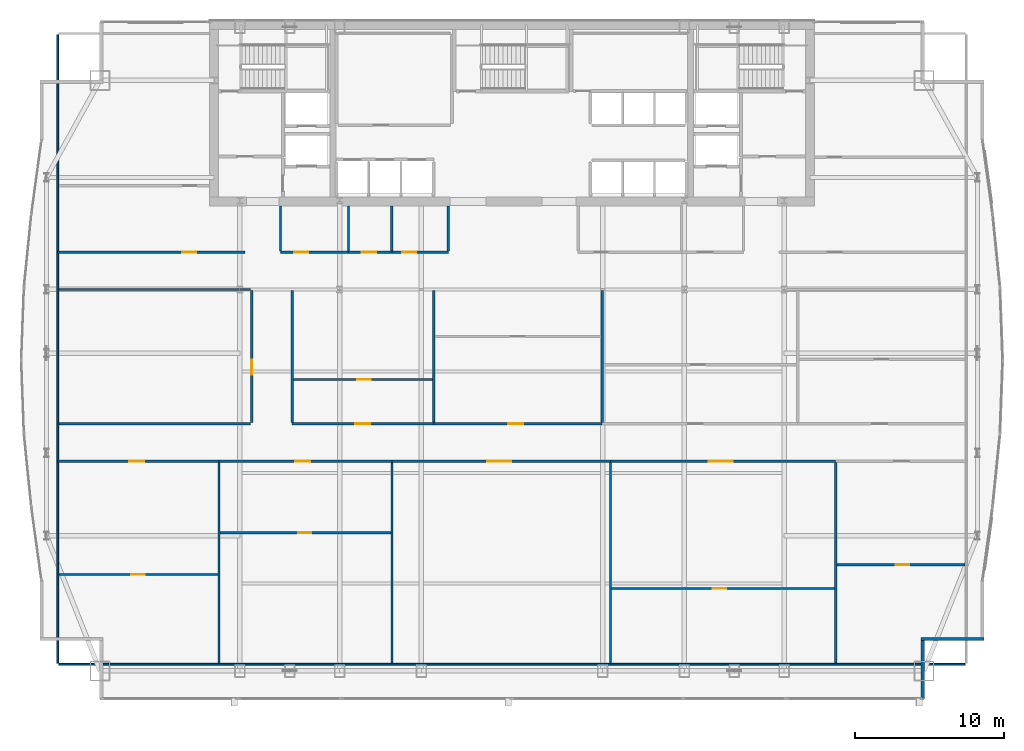
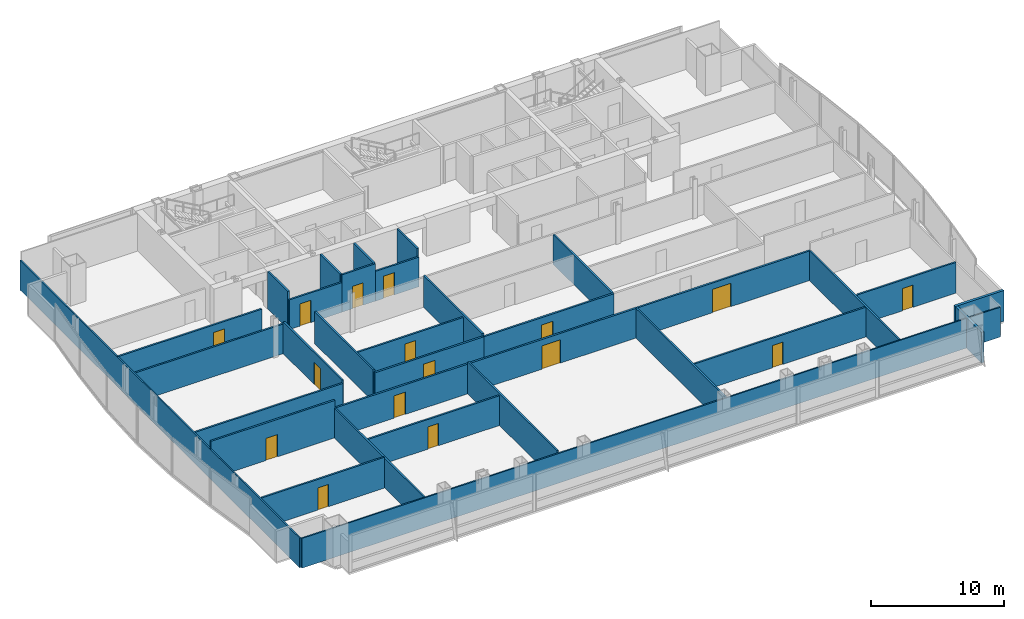
# One storey, part 24 of 29: 33 walls, 16 doors, 16 openings.
"""IFC4 building model written with IfcOpenShell, lengths in metres."""

from ifc_helpers import new_model, si_unit, direction, frame, frame_2d, origin, place, context, subcontext, project, spatial, rectangle, extrude, material, layer, layer_set, type_object, element, fill, save


model = new_model("IFC4")

# Units and contexts
model_context = context("Model", 3, precision=1e-05, world=origin(), true_north=direction((0.0, 1.0)))
body_context = subcontext(model_context, "Body", "Model", "MODEL_VIEW")
ifc_project = project(units=[si_unit("LENGTHUNIT", "METRE"), si_unit("AREAUNIT", "SQUARE_METRE"), si_unit("VOLUMEUNIT", "CUBIC_METRE"), si_unit("PLANEANGLEUNIT", "RADIAN"), si_unit("MASSUNIT", "GRAM", prefix="KILO")], contexts=[model_context])

# Site, building, storey
site_placement = place(None, origin())
site = spatial("IfcSite", under=ifc_project, at=site_placement, CompositionType="ELEMENT")
building_placement = place(site_placement, origin())
building = spatial("IfcBuilding", under=site, at=building_placement, Name="Khoronbel Lancet Exchange", CompositionType="ELEMENT")
storey_placement = place(building_placement, frame((0.0, 0.0, 177.0)))
storey = spatial("IfcBuildingStorey", under=building, at=storey_placement, Name="L44", CompositionType="ELEMENT", Elevation=177.0)

# Walls
ifc_material_1 = material(Name="Precast concrete C40/50", Category="concrete")
ifc_layer_1 = layer(ifc_material_1, 0.25, Name="Precast concrete C40/50")
ifc_layer_set_1 = layer_set([ifc_layer_1], Name="Precast concrete C40/50")
wall_type_1 = type_object("IfcWallType", Name="WL-EXT250", PredefinedType="SOLIDWALL", material=ifc_layer_set_1)
wall_1_placement = place(storey_placement, frame((68.070068359375, 12.2900390625, 0.0), z_axis=(0.0, 0.0, 1.0), x_axis=(-1.0, 0.0, 0.0)))
element("IfcWall", 1, at=wall_1_placement, inside=storey, type_object=wall_type_1, Name="Level L44 notched-corner limestone pier 24", PredefinedType="SOLIDWALL", context=body_context, shape_type="SweptSolid", body=[
    extrude(rectangle(XDim=4.219970703125, YDim=0.219970703125, at=frame_2d((2.10986328125, 0.0))), origin(), (0.0, 0.0, 1.0), 2.830078125),
])
wall_2_placement = place(storey_placement, frame((63.9599609375, 12.179931640625, 0.0), z_axis=(0.0, 0.0, 1.0), x_axis=(0.0, -1.0, 0.0)))
element("IfcWall", 2, at=wall_2_placement, inside=storey, type_object=wall_type_1, Name="Level L44 notched-corner limestone pier 25", PredefinedType="SOLIDWALL", context=body_context, shape_type="SweptSolid", body=[
    extrude(rectangle(XDim=3.909912109375, YDim=0.219970703125, at=frame_2d((1.955078125, 0.0))), origin(), (0.0, 0.0, 1.0), 2.830078125),
])
ifc_material_2 = material(Name="Acoustic Metal-Stud & Mineral-Wool Gypsum Partition 120 mm", Category="gypsum")
ifc_layer_2 = layer(ifc_material_2, 0.1201171875, Name="Acoustic Metal-Stud & Mineral-Wool Gypsum Partition 120 mm")
ifc_layer_set_2 = layer_set([ifc_layer_2], Name="Acoustic Metal-Stud & Mineral-Wool Gypsum Partition 120 mm")
wall_type_2 = type_object("IfcWallType", Name="WL-PRT120", PredefinedType="PARTITIONING", material=ifc_layer_set_2)
for number, where, z_axis, x_axis, name in (
    (3, (20.949951171875, 38.280029296875, 0.0), (0.0, 0.0, 1.0), (0.0, 1.0, 0.0), "Level L44 interior partition PW-WC-0"),
    (4, (25.5, 38.280029296875, 0.0), (0.0, 0.0, 1.0), (0.0, 1.0, 0.0), "Level L44 interior partition PW-WC-1"),
    (5, (28.39990234375, 38.280029296875, 0.0), (0.0, 0.0, 1.0), (0.0, 1.0, 0.0), "Level L44 interior partition PW-WC-2"),
    (6, (32.179931640625, 38.280029296875, 0.0), (0.0, 0.0, 1.0), (0.0, 1.0, 0.0), "Level L44 interior partition PW-WC-3"),
):
    element("IfcWall", number, at=place(storey_placement, frame(where, z_axis=z_axis, x_axis=x_axis)), inside=storey, type_object=wall_type_2, Name=name, PredefinedType="PARTITIONING", context=body_context, shape_type="SweptSolid", body=[
        extrude(rectangle(XDim=3.02001953125, YDim=0.14990234375, at=frame_2d((1.510009765625, 0.0))), origin(), (0.0, 0.0, 1.0), 3.43994140625),
    ])

# Wall, opening, door
wall_3_placement = place(storey_placement, frame((6.094970703125, 16.60986328125, 0.0), z_axis=(0.0, 0.0, 1.0), x_axis=(1.0, 0.0, 0.0)))
wall_3 = element("IfcWall", 7, at=wall_3_placement, inside=storey, type_object=wall_type_2, Name="Level L44 interior partition PW-Z2S-H1", PredefinedType="PARTITIONING", context=body_context, shape_type="SweptSolid", body=[
    extrude(rectangle(XDim=10.651123046875, YDim=0.14990234375, at=frame_2d((5.32568359375, 0.0))), origin(), (0.0, 0.0, 1.0), 2.830078125),
])
opening_1_placement = place(wall_3_placement, frame((4.8583984375, 0.0, 0.0)))
opening_1 = element("IfcOpeningElement", 8, at=opening_1_placement, cuts=wall_3, Name="Opening D5", PredefinedType="OPENING", context=body_context, shape_type="SweptSolid", body=[
    extrude(rectangle(XDim=0.89990234375, YDim=2.050048828125, at=frame_2d((0.449951171875, 1.02490234375))), frame((0.0, 0.0849609375, 0.0), z_axis=(0.0, -1.0, 0.0), x_axis=(1.0, 0.0, 0.0)), (0.0, 0.0, 1.0), 0.169921875),
])
ifc_material_3 = material(Name="Acoustic Timber Pantry & Support Door", Category="wood")
door_type_1 = type_object("IfcDoorType", Name="DR-D5", OperationType="NOTDEFINED", PredefinedType="DOOR", material=ifc_material_3)
door_1_placement = place(opening_1_placement, origin())
door_1 = element("IfcDoor", 9, at=door_1_placement, inside=storey, type_object=door_type_1, Name="Z2S inner door 1 L44-1", OperationType="SINGLE_SWING_LEFT", OverallHeight=2.050048828125, OverallWidth=0.89990234375, PredefinedType="DOOR", context=body_context, shape_type="SweptSolid", body=[
    extrude(rectangle(XDim=0.89990234375, YDim=2.050048828125, at=frame_2d((0.449951171875, 1.02490234375))), frame((0.0, 0.02490234375, 0.0), z_axis=(0.0, -1.0, 0.0), x_axis=(1.0, 0.0, 0.0)), (0.0, 0.0, 1.0), 0.050048828125),
])
fill(opening_1, door_1)

wall_4_placement = place(storey_placement, frame((16.90625, 19.39697265625, 0.0), z_axis=(0.0, 0.0, 1.0), x_axis=(1.0, 0.0, 0.0)))
wall_4 = element("IfcWall", 10, at=wall_4_placement, inside=storey, type_object=wall_type_2, Name="Level L44 interior partition PW-Z2S-H2", PredefinedType="PARTITIONING", context=body_context, shape_type="SweptSolid", body=[
    extrude(rectangle(XDim=11.423828125, YDim=0.14990234375, at=frame_2d((5.7119140625, 0.0))), origin(), (0.0, 0.0, 1.0), 2.72998046875),
])
opening_2_placement = place(wall_4_placement, frame((5.212646484375, 0.0, 0.0)))
opening_2 = element("IfcOpeningElement", 11, at=opening_2_placement, cuts=wall_4, Name="Opening D5", PredefinedType="OPENING", context=body_context, shape_type="SweptSolid", body=[
    extrude(rectangle(XDim=0.89990234375, YDim=2.050048828125, at=frame_2d((0.449951171875, 1.02490234375))), frame((0.0, 0.0849609375, 0.0), z_axis=(0.0, -1.0, 0.0), x_axis=(1.0, 0.0, 0.0)), (0.0, 0.0, 1.0), 0.169921875),
])
door_2_placement = place(opening_2_placement, origin())
door_2 = element("IfcDoor", 12, at=door_2_placement, inside=storey, type_object=door_type_1, Name="Z2S inner door 2 L44-1", OperationType="SINGLE_SWING_LEFT", OverallHeight=2.050048828125, OverallWidth=0.89990234375, PredefinedType="DOOR", context=body_context, shape_type="SweptSolid", body=[
    extrude(rectangle(XDim=0.89990234375, YDim=2.050048828125, at=frame_2d((0.449951171875, 1.02490234375))), frame((0.0, 0.02490234375, 0.0), z_axis=(0.0, -1.0, 0.0), x_axis=(1.0, 0.0, 0.0)), (0.0, 0.0, 1.0), 0.050048828125),
])
fill(opening_2, door_2)

wall_5_placement = place(storey_placement, frame((43.1220703125, 15.674560546875, 0.0), z_axis=(0.0, 0.0, 1.0), x_axis=(1.0, 0.0, 0.0)))
wall_5 = element("IfcWall", 13, at=wall_5_placement, inside=storey, type_object=wall_type_2, Name="Level L44 interior partition PW-Z2S-H4", PredefinedType="PARTITIONING", context=body_context, shape_type="SweptSolid", body=[
    extrude(rectangle(XDim=14.929443359375, YDim=0.14990234375, at=frame_2d((7.46484375, 0.0))), origin(), (0.0, 0.0, 1.0), 2.72998046875),
])
opening_3_placement = place(wall_5_placement, frame((6.790283203125, 0.0, 0.0)))
opening_3 = element("IfcOpeningElement", 14, at=opening_3_placement, cuts=wall_5, Name="Opening D5", PredefinedType="OPENING", context=body_context, shape_type="SweptSolid", body=[
    extrude(rectangle(XDim=0.89990234375, YDim=2.050048828125, at=frame_2d((0.449951171875, 1.02490234375))), frame((0.0, 0.0849609375, 0.0), z_axis=(0.0, -1.0, 0.0), x_axis=(1.0, 0.0, 0.0)), (0.0, 0.0, 1.0), 0.169921875),
])
door_3_placement = place(opening_3_placement, origin())
door_3 = element("IfcDoor", 15, at=door_3_placement, inside=storey, type_object=door_type_1, Name="Z2S inner door 4 L44-1", OperationType="SINGLE_SWING_RIGHT", OverallHeight=2.050048828125, OverallWidth=0.89990234375, PredefinedType="DOOR", context=body_context, shape_type="SweptSolid", body=[
    extrude(rectangle(XDim=0.89990234375, YDim=2.050048828125, at=frame_2d((0.449951171875, 1.02490234375))), frame((0.0, 0.02490234375, 0.0), z_axis=(0.0, -1.0, 0.0), x_axis=(1.0, 0.0, 0.0)), (0.0, 0.0, 1.0), 0.050048828125),
])
fill(opening_3, door_3)

wall_6_placement = place(storey_placement, frame((58.21142578125, 17.26171875, 0.0), z_axis=(0.0, 0.0, 1.0), x_axis=(1.0, 0.0, 0.0)))
wall_6 = element("IfcWall", 16, at=wall_6_placement, inside=storey, type_object=wall_type_2, Name="Level L44 interior partition PW-Z2S-H5", PredefinedType="PARTITIONING", context=body_context, shape_type="SweptSolid", body=[
    extrude(rectangle(XDim=8.593505859375, YDim=0.14990234375, at=frame_2d((4.296875, 0.0))), origin(), (0.0, 0.0, 1.0), 2.830078125),
])
opening_4_placement = place(wall_6_placement, frame((3.932373046875, 0.0, 0.0)))
opening_4 = element("IfcOpeningElement", 17, at=opening_4_placement, cuts=wall_6, Name="Opening D5", PredefinedType="OPENING", context=body_context, shape_type="SweptSolid", body=[
    extrude(rectangle(XDim=0.89990234375, YDim=2.050048828125, at=frame_2d((0.449951171875, 1.02490234375))), frame((0.0, 0.0849609375, 0.0), z_axis=(0.0, -1.0, 0.0), x_axis=(1.0, 0.0, 0.0)), (0.0, 0.0, 1.0), 0.169921875),
])
door_4_placement = place(opening_4_placement, origin())
door_4 = element("IfcDoor", 18, at=door_4_placement, inside=storey, type_object=door_type_1, Name="Z2S inner door 5 L44-1", OperationType="SINGLE_SWING_RIGHT", OverallHeight=2.050048828125, OverallWidth=0.89990234375, PredefinedType="DOOR", context=body_context, shape_type="SweptSolid", body=[
    extrude(rectangle(XDim=0.89990234375, YDim=2.050048828125, at=frame_2d((0.449951171875, 1.02490234375))), frame((0.0, 0.02490234375, 0.0), z_axis=(0.0, -1.0, 0.0), x_axis=(1.0, 0.0, 0.0)), (0.0, 0.0, 1.0), 0.050048828125),
])
fill(opening_4, door_4)

wall_7_placement = place(storey_placement, frame((21.81005859375, 29.669921875, 0.0), z_axis=(0.0, 0.0, 1.0), x_axis=(1.0, 0.0, 0.0)))
wall_7 = element("IfcWall", 19, at=wall_7_placement, inside=storey, type_object=wall_type_2, Name="Level L44 interior partition PW-Z2N-H1", PredefinedType="PARTITIONING", context=body_context, shape_type="SweptSolid", body=[
    extrude(rectangle(XDim=9.3193359375, YDim=0.14990234375, at=frame_2d((4.65966796875, 0.0))), origin(), (0.0, 0.0, 1.0), 2.72998046875),
])
opening_5_placement = place(wall_7_placement, frame((4.265625, 0.0, 0.0)))
opening_5 = element("IfcOpeningElement", 20, at=opening_5_placement, cuts=wall_7, Name="Opening D5", PredefinedType="OPENING", context=body_context, shape_type="SweptSolid", body=[
    extrude(rectangle(XDim=0.89990234375, YDim=2.050048828125, at=frame_2d((0.449951171875, 1.02490234375))), frame((0.0, 0.0849609375, 0.0), z_axis=(0.0, -1.0, 0.0), x_axis=(1.0, 0.0, 0.0)), (0.0, 0.0, 1.0), 0.169921875),
])
door_5_placement = place(opening_5_placement, origin())
door_5 = element("IfcDoor", 21, at=door_5_placement, inside=storey, type_object=door_type_1, Name="Z2N inner door 1 L44-1", OperationType="SINGLE_SWING_LEFT", OverallHeight=2.050048828125, OverallWidth=0.89990234375, PredefinedType="DOOR", context=body_context, shape_type="SweptSolid", body=[
    extrude(rectangle(XDim=0.89990234375, YDim=2.050048828125, at=frame_2d((0.449951171875, 1.02490234375))), frame((0.0, 0.02490234375, 0.0), z_axis=(0.0, -1.0, 0.0), x_axis=(1.0, 0.0, 0.0)), (0.0, 0.0, 1.0), 0.050048828125),
])
fill(opening_5, door_5)

# Walls
wall_8_placement = place(storey_placement, frame((6.030029296875, 10.6650390625, 0.0), z_axis=(0.0, 0.0, 1.0), x_axis=(0.0, 1.0, 0.0)))
element("IfcWall", 22, at=wall_8_placement, inside=storey, type_object=wall_type_2, Name="Level L44 interior partition PW-LIN-W", PredefinedType="PARTITIONING", context=body_context, shape_type="SweptSolid", body=[
    extrude(rectangle(XDim=42.10986328125, YDim=0.1201171875, at=frame_2d((21.054931640625, 0.0))), origin(), (0.0, 0.0, 1.0), 2.72998046875),
])
wall_9_placement = place(storey_placement, frame((6.094970703125, 10.60009765625, 0.0), z_axis=(0.0, 0.0, 1.0), x_axis=(1.0, 0.0, 0.0)))
element("IfcWall", 23, at=wall_9_placement, inside=storey, type_object=wall_type_2, Name="Level L44 interior partition PW-LIN-S", PredefinedType="PARTITIONING", context=body_context, shape_type="SweptSolid", body=[
    extrude(rectangle(XDim=60.7099609375, YDim=0.1201171875, at=frame_2d((30.35498046875, 0.0))), origin(), (0.0, 0.0, 1.0), 2.72998046875),
])

# Wall, opening, door
ifc_material_4 = material(Name="Fire-Rated Twin-Stud Acoustic Gypsum Partition 150 mm", Category="gypsum")
ifc_layer_3 = layer(ifc_material_4, 0.14990234375, Name="Fire-Rated Twin-Stud Acoustic Gypsum Partition 150 mm")
ifc_layer_set_3 = layer_set([ifc_layer_3], Name="Fire-Rated Twin-Stud Acoustic Gypsum Partition 150 mm")
wall_type_3 = type_object("IfcWallType", Name="WL-PRT150C", PredefinedType="PARTITIONING", material=ifc_layer_set_3)
wall_10_placement = place(storey_placement, frame((20.949951171875, 38.199951171875, 0.0), z_axis=(0.0, 0.0, 1.0), x_axis=(1.0, 0.0, 0.0)))
wall_10 = element("IfcWall", 24, at=wall_10_placement, inside=storey, type_object=wall_type_3, Name="Level L44 interior partition PW-WC-S1", PredefinedType="PARTITIONING", context=body_context, shape_type="SweptSolid", body=[
    extrude(rectangle(XDim=4.550048828125, YDim=0.14990234375, at=frame_2d((2.27490234375, 0.0))), origin(), (0.0, 0.0, 1.0), 2.72998046875),
])
opening_6_placement = place(wall_10_placement, frame((0.89990234375, 0.0, 0.0)))
opening_6 = element("IfcOpeningElement", 25, at=opening_6_placement, cuts=wall_10, Name="Opening D4", PredefinedType="OPENING", context=body_context, shape_type="SweptSolid", body=[
    extrude(rectangle(XDim=0.949951171875, YDim=2.050048828125, at=frame_2d((0.47509765625, 1.02490234375))), frame((0.0, 0.0849609375, 0.0), z_axis=(0.0, -1.0, 0.0), x_axis=(1.0, 0.0, 0.0)), (0.0, 0.0, 1.0), 0.169921875),
])
ifc_material_5 = material(Name="Moisture-Resistant HPL Washroom Door", Category="wood")
door_type_2 = type_object("IfcDoorType", Name="DR-D4", OperationType="NOTDEFINED", PredefinedType="DOOR", material=ifc_material_5)
door_6_placement = place(opening_6_placement, origin())
door_6 = element("IfcDoor", 26, at=door_6_placement, inside=storey, type_object=door_type_2, Name="Male washroom door L44-1", OperationType="SINGLE_SWING_LEFT", OverallHeight=2.050048828125, OverallWidth=0.949951171875, PredefinedType="DOOR", context=body_context, shape_type="SweptSolid", body=[
    extrude(rectangle(XDim=0.949951171875, YDim=2.050048828125, at=frame_2d((0.47509765625, 1.02490234375))), frame((0.0, 0.02490234375, 0.0), z_axis=(0.0, -1.0, 0.0), x_axis=(1.0, 0.0, 0.0)), (0.0, 0.0, 1.0), 0.050048828125),
])
fill(opening_6, door_6)

wall_11_placement = place(storey_placement, frame((25.5, 38.199951171875, 0.0), z_axis=(0.0, 0.0, 1.0), x_axis=(1.0, 0.0, 0.0)))
wall_11 = element("IfcWall", 27, at=wall_11_placement, inside=storey, type_object=wall_type_3, Name="Level L44 interior partition PW-WC-S2", PredefinedType="PARTITIONING", context=body_context, shape_type="SweptSolid", body=[
    extrude(rectangle(XDim=2.89990234375, YDim=0.14990234375, at=frame_2d((1.449951171875, 0.0))), origin(), (0.0, 0.0, 1.0), 3.43994140625),
])
opening_7_placement = place(wall_11_placement, frame((0.89990234375, 0.0, 0.0)))
opening_7 = element("IfcOpeningElement", 28, at=opening_7_placement, cuts=wall_11, Name="Opening D4", PredefinedType="OPENING", context=body_context, shape_type="SweptSolid", body=[
    extrude(rectangle(XDim=0.949951171875, YDim=2.050048828125, at=frame_2d((0.47509765625, 1.02490234375))), frame((0.0, 0.0849609375, 0.0), z_axis=(0.0, -1.0, 0.0), x_axis=(1.0, 0.0, 0.0)), (0.0, 0.0, 1.0), 0.169921875),
])
door_7_placement = place(opening_7_placement, origin())
door_7 = element("IfcDoor", 29, at=door_7_placement, inside=storey, type_object=door_type_2, Name="Female washroom door L44-1", OperationType="SINGLE_SWING_RIGHT", OverallHeight=2.050048828125, OverallWidth=0.949951171875, PredefinedType="DOOR", context=body_context, shape_type="SweptSolid", body=[
    extrude(rectangle(XDim=0.949951171875, YDim=2.050048828125, at=frame_2d((0.47509765625, 1.02490234375))), frame((0.0, 0.02490234375, 0.0), z_axis=(0.0, -1.0, 0.0), x_axis=(1.0, 0.0, 0.0)), (0.0, 0.0, 1.0), 0.050048828125),
])
fill(opening_7, door_7)

wall_12_placement = place(storey_placement, frame((28.39990234375, 38.199951171875, 0.0), z_axis=(0.0, 0.0, 1.0), x_axis=(1.0, 0.0, 0.0)))
wall_12 = element("IfcWall", 30, at=wall_12_placement, inside=storey, type_object=wall_type_3, Name="Level L44 interior partition PW-WC-S3", PredefinedType="PARTITIONING", context=body_context, shape_type="SweptSolid", body=[
    extrude(rectangle(XDim=3.780029296875, YDim=0.14990234375, at=frame_2d((1.89013671875, 0.0))), origin(), (0.0, 0.0, 1.0), 2.72998046875),
])
opening_8_placement = place(wall_12_placement, frame((0.699951171875, 0.0, 0.0)))
opening_8 = element("IfcOpeningElement", 31, at=opening_8_placement, cuts=wall_12, Name="Opening D4", PredefinedType="OPENING", context=body_context, shape_type="SweptSolid", body=[
    extrude(rectangle(XDim=0.949951171875, YDim=2.050048828125, at=frame_2d((0.47509765625, 1.02490234375))), frame((0.0, 0.0849609375, 0.0), z_axis=(0.0, -1.0, 0.0), x_axis=(1.0, 0.0, 0.0)), (0.0, 0.0, 1.0), 0.169921875),
])
door_8_placement = place(opening_8_placement, origin())
door_8 = element("IfcDoor", 32, at=door_8_placement, inside=storey, type_object=door_type_2, Name="Accessible WC door L44-1", OperationType="SINGLE_SWING_LEFT", OverallHeight=2.050048828125, OverallWidth=0.949951171875, PredefinedType="DOOR", context=body_context, shape_type="SweptSolid", body=[
    extrude(rectangle(XDim=0.949951171875, YDim=2.050048828125, at=frame_2d((0.47509765625, 1.02490234375))), frame((0.0, 0.02490234375, 0.0), z_axis=(0.0, -1.0, 0.0), x_axis=(1.0, 0.0, 0.0)), (0.0, 0.0, 1.0), 0.050048828125),
])
fill(opening_8, door_8)

wall_13_placement = place(storey_placement, frame((6.030029296875, 38.199951171875, 0.0), z_axis=(0.0, 0.0, 1.0), x_axis=(1.0, 0.0, 0.0)))
wall_13 = element("IfcWall", 33, at=wall_13_placement, inside=storey, type_object=wall_type_3, Name="Level L44 interior partition PW-NW-S", PredefinedType="PARTITIONING", context=body_context, shape_type="SweptSolid", body=[
    extrude(rectangle(XDim=12.52001953125, YDim=0.14990234375, at=frame_2d((6.260009765625, 0.0))), origin(), (0.0, 0.0, 1.0), 2.72998046875),
])
opening_9_placement = place(wall_13_placement, frame((8.320068359375, 0.0, 0.0)))
opening_9 = element("IfcOpeningElement", 34, at=opening_9_placement, cuts=wall_13, Name="Opening D1", PredefinedType="OPENING", context=body_context, shape_type="SweptSolid", body=[
    extrude(rectangle(XDim=0.949951171875, YDim=2.050048828125, at=frame_2d((0.47509765625, 1.02490234375))), frame((0.0, 0.0849609375, 0.0), z_axis=(0.0, -1.0, 0.0), x_axis=(1.0, 0.0, 0.0)), (0.0, 0.0, 1.0), 0.169921875),
])
ifc_material_6 = material(Name="Acoustic Veneered Timber & Bronze Frame Door", Category="wood")
door_type_3 = type_object("IfcDoorType", Name="DR-D1", OperationType="NOTDEFINED", PredefinedType="DOOR", material=ifc_material_6)
door_9_placement = place(opening_9_placement, origin())
door_9 = element("IfcDoor", 35, at=door_9_placement, inside=storey, type_object=door_type_3, Name="NW corner room door L44-1", OperationType="SINGLE_SWING_RIGHT", OverallHeight=2.050048828125, OverallWidth=0.949951171875, PredefinedType="DOOR", context=body_context, shape_type="SweptSolid", body=[
    extrude(rectangle(XDim=0.949951171875, YDim=2.050048828125, at=frame_2d((0.47509765625, 1.02490234375))), frame((0.0, 0.02490234375, 0.0), z_axis=(0.0, -1.0, 0.0), x_axis=(1.0, 0.0, 0.0)), (0.0, 0.0, 1.0), 0.050048828125),
])
fill(opening_9, door_9)

# Walls
wall_14_placement = place(storey_placement, frame((16.826171875, 10.6650390625, 0.0), z_axis=(0.0, 0.0, 1.0), x_axis=(0.0, 1.0, 0.0)))
element("IfcWall", 36, at=wall_14_placement, inside=storey, type_object=wall_type_3, Name="Level L44 interior partition PW-Z2S-V1", PredefinedType="PARTITIONING", context=body_context, shape_type="SweptSolid", body=[
    extrude(rectangle(XDim=13.449951171875, YDim=0.14990234375, at=frame_2d((6.72509765625, 0.0))), origin(), (0.0, 0.0, 1.0), 2.72998046875),
])
wall_15_placement = place(storey_placement, frame((28.409912109375, 10.6650390625, 0.0), z_axis=(0.0, 0.0, 1.0), x_axis=(0.0, 1.0, 0.0)))
element("IfcWall", 37, at=wall_15_placement, inside=storey, type_object=wall_type_3, Name="Level L44 interior partition PW-Z2S-V2", PredefinedType="PARTITIONING", context=body_context, shape_type="SweptSolid", body=[
    extrude(rectangle(XDim=13.449951171875, YDim=0.14990234375, at=frame_2d((6.72509765625, 0.0))), origin(), (0.0, 0.0, 1.0), 2.929931640625),
])
for number, where, z_axis, x_axis, name in (
    (38, (43.0419921875, 10.6650390625, 0.0), (0.0, 0.0, 1.0), (0.0, 1.0, 0.0), "Level L44 interior partition PW-Z2S-V3"),
    (39, (58.13134765625, 10.6650390625, 0.0), (0.0, 0.0, 1.0), (0.0, 1.0, 0.0), "Level L44 interior partition PW-Z2S-V4"),
):
    element("IfcWall", number, at=place(storey_placement, frame(where, z_axis=z_axis, x_axis=x_axis)), inside=storey, type_object=wall_type_3, Name=name, PredefinedType="PARTITIONING", context=body_context, shape_type="SweptSolid", body=[
        extrude(rectangle(XDim=13.449951171875, YDim=0.14990234375, at=frame_2d((6.72509765625, 0.0))), origin(), (0.0, 0.0, 1.0), 2.72998046875),
    ])

# Wall, opening, door
wall_16_placement = place(storey_placement, frame((19.02001953125, 26.780029296875, 0.0), z_axis=(0.0, 0.0, 1.0), x_axis=(0.0, 1.0, 0.0)))
wall_16 = element("IfcWall", 40, at=wall_16_placement, inside=storey, type_object=wall_type_3, Name="Level L44 interior partition PW-Z2-WLK", PredefinedType="PARTITIONING", context=body_context, shape_type="SweptSolid", body=[
    extrude(rectangle(XDim=8.840087890625, YDim=0.14990234375, at=frame_2d((4.419921875, 0.0))), origin(), (0.0, 0.0, 1.0), 2.929931640625),
])
opening_10_placement = place(wall_16_placement, frame((3.199951171875, 0.0, 0.0)))
opening_10 = element("IfcOpeningElement", 41, at=opening_10_placement, cuts=wall_16, Name="Opening D2", PredefinedType="OPENING", context=body_context, shape_type="SweptSolid", body=[
    extrude(rectangle(XDim=1.0, YDim=2.050048828125, at=frame_2d((0.5, 1.02490234375))), frame((0.0, 0.0849609375, 0.0), z_axis=(0.0, -1.0, 0.0), x_axis=(1.0, 0.0, 0.0)), (0.0, 0.0, 1.0), 0.169921875),
])
door_type_4 = type_object("IfcDoorType", Name="DR-D2", OperationType="NOTDEFINED", PredefinedType="DOOR", material=ifc_material_6)
door_10_placement = place(opening_10_placement, origin())
door_10 = element("IfcDoor", 42, at=door_10_placement, inside=storey, type_object=door_type_4, Name="West mid-band room door L44-1", OperationType="SINGLE_SWING_LEFT", OverallHeight=2.050048828125, OverallWidth=1.0, PredefinedType="DOOR", context=body_context, shape_type="SweptSolid", body=[
    extrude(rectangle(XDim=1.0, YDim=2.050048828125, at=frame_2d((0.5, 1.02490234375))), frame((0.0, 0.02490234375, 0.0), z_axis=(0.0, -1.0, 0.0), x_axis=(1.0, 0.0, 0.0)), (0.0, 0.0, 1.0), 0.050048828125),
])
fill(opening_10, door_10)

# Walls
for number, where, z_axis, x_axis, name in (
    (43, (6.094970703125, 26.699951171875, 0.0), (0.0, 0.0, 1.0), (1.0, 0.0, 0.0), "Level L44 interior partition PW-Z2-WS"),
    (44, (6.094970703125, 35.699951171875, 0.0), (0.0, 0.0, 1.0), (1.0, 0.0, 0.0), "Level L44 interior partition PW-Z2-WN"),
):
    element("IfcWall", number, at=place(storey_placement, frame(where, z_axis=z_axis, x_axis=x_axis)), inside=storey, type_object=wall_type_3, Name=name, PredefinedType="PARTITIONING", context=body_context, shape_type="SweptSolid", body=[
        extrude(rectangle(XDim=12.844970703125, YDim=0.14990234375, at=frame_2d((6.42236328125, 0.0))), origin(), (0.0, 0.0, 1.0), 2.72998046875),
    ])
for number, where, z_axis, x_axis, name in (
    (45, (21.72998046875, 26.784912109375, 0.0), (0.0, 0.0, 1.0), (0.0, 1.0, 0.0), "Level L44 interior partition PW-Z2-ELK"),
    (46, (31.20947265625, 26.784912109375, 0.0), (0.0, 0.0, 1.0), (0.0, 1.0, 0.0), "Level L44 interior partition PW-Z2N-V1"),
):
    element("IfcWall", number, at=place(storey_placement, frame(where, z_axis=z_axis, x_axis=x_axis)), inside=storey, type_object=wall_type_3, Name=name, PredefinedType="PARTITIONING", context=body_context, shape_type="SweptSolid", body=[
        extrude(rectangle(XDim=8.835205078125, YDim=0.14990234375, at=frame_2d((4.41748046875, 0.0))), origin(), (0.0, 0.0, 1.0), 2.929931640625),
    ])
wall_17_placement = place(storey_placement, frame((42.494384765625, 26.784912109375, 0.0), z_axis=(0.0, 0.0, 1.0), x_axis=(0.0, 1.0, 0.0)))
element("IfcWall", 47, at=wall_17_placement, inside=storey, type_object=wall_type_3, Name="Level L44 interior partition PW-Z2N-V2", PredefinedType="PARTITIONING", context=body_context, shape_type="SweptSolid", body=[
    extrude(rectangle(XDim=8.835205078125, YDim=0.14990234375, at=frame_2d((4.41748046875, 0.0))), origin(), (0.0, 0.0, 1.0), 2.72998046875),
])

# Wall, opening, door
ifc_material_7 = material(Name="Fire-Rated Twin-Stud Acoustic Gypsum Partition 160 mm", Category="gypsum")
ifc_layer_4 = layer(ifc_material_7, 0.159912109375, Name="Fire-Rated Twin-Stud Acoustic Gypsum Partition 160 mm")
ifc_layer_set_4 = layer_set([ifc_layer_4], Name="Fire-Rated Twin-Stud Acoustic Gypsum Partition 160 mm")
wall_type_4 = type_object("IfcWallType", Name="WL-PRT160C", PredefinedType="PARTITIONING", material=ifc_layer_set_4)
wall_18_placement = place(storey_placement, frame((6.030029296875, 24.199951171875, 0.0), z_axis=(0.0, 0.0, 1.0), x_axis=(1.0, 0.0, 0.0)))
wall_18 = element("IfcWall", 48, at=wall_18_placement, inside=storey, type_object=wall_type_4, Name="Level L44 interior partition PW-Z2S-COR1", PredefinedType="PARTITIONING", context=body_context, shape_type="SweptSolid", body=[
    extrude(rectangle(XDim=10.796142578125, YDim=0.159912109375, at=frame_2d((5.39794921875, 0.0))), origin(), (0.0, 0.0, 1.0), 3.43994140625),
])
opening_11_placement = place(wall_18_placement, frame((4.784423828125, 0.0, 0.0)))
opening_11 = element("IfcOpeningElement", 49, at=opening_11_placement, cuts=wall_18, Name="Opening D2", PredefinedType="OPENING", context=body_context, shape_type="SweptSolid", body=[
    extrude(rectangle(XDim=1.0, YDim=2.050048828125, at=frame_2d((0.5, 1.02490234375))), frame((0.0, 0.08984375, 0.0), z_axis=(0.0, -1.0, 0.0), x_axis=(1.0, 0.0, 0.0)), (0.0, 0.0, 1.0), 0.179931640625),
])
door_11_placement = place(opening_11_placement, origin())
door_11 = element("IfcDoor", 50, at=door_11_placement, inside=storey, type_object=door_type_4, Name="Z2S bay 1 door L44-1", OperationType="SINGLE_SWING_RIGHT", OverallHeight=2.050048828125, OverallWidth=1.0, PredefinedType="DOOR", context=body_context, shape_type="SweptSolid", body=[
    extrude(rectangle(XDim=1.0, YDim=2.050048828125, at=frame_2d((0.5, 1.02490234375))), frame((0.0, 0.02490234375, 0.0), z_axis=(0.0, -1.0, 0.0), x_axis=(1.0, 0.0, 0.0)), (0.0, 0.0, 1.0), 0.050048828125),
])
fill(opening_11, door_11)

wall_19_placement = place(storey_placement, frame((16.826171875, 24.199951171875, 0.0), z_axis=(0.0, 0.0, 1.0), x_axis=(1.0, 0.0, 0.0)))
wall_19 = element("IfcWall", 51, at=wall_19_placement, inside=storey, type_object=wall_type_4, Name="Level L44 interior partition PW-Z2S-COR2", PredefinedType="PARTITIONING", context=body_context, shape_type="SweptSolid", body=[
    extrude(rectangle(XDim=11.583740234375, YDim=0.159912109375, at=frame_2d((5.7919921875, 0.0))), origin(), (0.0, 0.0, 1.0), 2.72998046875),
])
opening_12_placement = place(wall_19_placement, frame((5.115234375, 0.0, 0.0)))
opening_12 = element("IfcOpeningElement", 52, at=opening_12_placement, cuts=wall_19, Name="Opening D2", PredefinedType="OPENING", context=body_context, shape_type="SweptSolid", body=[
    extrude(rectangle(XDim=1.0, YDim=2.050048828125, at=frame_2d((0.5, 1.02490234375))), frame((0.0, 0.08984375, 0.0), z_axis=(0.0, -1.0, 0.0), x_axis=(1.0, 0.0, 0.0)), (0.0, 0.0, 1.0), 0.179931640625),
])
door_12_placement = place(opening_12_placement, origin())
door_12 = element("IfcDoor", 53, at=door_12_placement, inside=storey, type_object=door_type_4, Name="Z2S bay 2 door L44-1", OperationType="SINGLE_SWING_RIGHT", OverallHeight=2.050048828125, OverallWidth=1.0, PredefinedType="DOOR", context=body_context, shape_type="SweptSolid", body=[
    extrude(rectangle(XDim=1.0, YDim=2.050048828125, at=frame_2d((0.5, 1.02490234375))), frame((0.0, 0.02490234375, 0.0), z_axis=(0.0, -1.0, 0.0), x_axis=(1.0, 0.0, 0.0)), (0.0, 0.0, 1.0), 0.050048828125),
])
fill(opening_12, door_12)

wall_20_placement = place(storey_placement, frame((28.409912109375, 24.199951171875, 0.0), z_axis=(0.0, 0.0, 1.0), x_axis=(1.0, 0.0, 0.0)))
wall_20 = element("IfcWall", 54, at=wall_20_placement, inside=storey, type_object=wall_type_4, Name="Level L44 interior partition PW-Z2S-COR3", PredefinedType="PARTITIONING", context=body_context, shape_type="SweptSolid", body=[
    extrude(rectangle(XDim=14.632080078125, YDim=0.159912109375, at=frame_2d((7.31591796875, 0.0))), origin(), (0.0, 0.0, 1.0), 2.72998046875),
])
opening_13_placement = place(wall_20_placement, frame((6.3955078125, 0.0, 0.0)))
opening_13 = element("IfcOpeningElement", 55, at=opening_13_placement, cuts=wall_20, Name="Opening D3", PredefinedType="OPENING", context=body_context, shape_type="SweptSolid", body=[
    extrude(rectangle(XDim=1.60009765625, YDim=2.14990234375, at=frame_2d((0.800048828125, 1.074951171875))), frame((0.0, 0.08984375, 0.0), z_axis=(0.0, -1.0, 0.0), x_axis=(1.0, 0.0, 0.0)), (0.0, 0.0, 1.0), 0.179931640625),
])
ifc_material_8 = material(Name="Glazed Bronze-Framed Double Suite Door", Category="aluminium")
door_type_5 = type_object("IfcDoorType", Name="DR-D3", OperationType="NOTDEFINED", PredefinedType="DOOR", material=ifc_material_8)
door_13_placement = place(opening_13_placement, origin())
door_13 = element("IfcDoor", 56, at=door_13_placement, inside=storey, type_object=door_type_5, Name="Z2S bay 3 door L44-1", OperationType="DOUBLE_DOOR_SINGLE_SWING", OverallHeight=2.14990234375, OverallWidth=1.60009765625, PredefinedType="DOOR", context=body_context, shape_type="SweptSolid", body=[
    extrude(rectangle(XDim=1.60009765625, YDim=2.14990234375, at=frame_2d((0.800048828125, 1.074951171875))), frame((0.0, 0.02490234375, 0.0), z_axis=(0.0, -1.0, 0.0), x_axis=(1.0, 0.0, 0.0)), (0.0, 0.0, 1.0), 0.050048828125),
])
fill(opening_13, door_13)

wall_21_placement = place(storey_placement, frame((43.0419921875, 24.199951171875, 0.0), z_axis=(0.0, 0.0, 1.0), x_axis=(1.0, 0.0, 0.0)))
wall_21 = element("IfcWall", 57, at=wall_21_placement, inside=storey, type_object=wall_type_4, Name="Level L44 interior partition PW-Z2S-COR4", PredefinedType="PARTITIONING", context=body_context, shape_type="SweptSolid", body=[
    extrude(rectangle(XDim=15.08935546875, YDim=0.159912109375, at=frame_2d((7.544677734375, 0.0))), origin(), (0.0, 0.0, 1.0), 2.72998046875),
])
opening_14_placement = place(wall_21_placement, frame((6.58740234375, 0.0, 0.0)))
opening_14 = element("IfcOpeningElement", 58, at=opening_14_placement, cuts=wall_21, Name="Opening D3", PredefinedType="OPENING", context=body_context, shape_type="SweptSolid", body=[
    extrude(rectangle(XDim=1.60009765625, YDim=2.14990234375, at=frame_2d((0.800048828125, 1.074951171875))), frame((0.0, 0.08984375, 0.0), z_axis=(0.0, -1.0, 0.0), x_axis=(1.0, 0.0, 0.0)), (0.0, 0.0, 1.0), 0.179931640625),
])
door_14_placement = place(opening_14_placement, origin())
door_14 = element("IfcDoor", 59, at=door_14_placement, inside=storey, type_object=door_type_5, Name="Z2S bay 4 door L44-1", OperationType="DOUBLE_DOOR_SINGLE_SWING", OverallHeight=2.14990234375, OverallWidth=1.60009765625, PredefinedType="DOOR", context=body_context, shape_type="SweptSolid", body=[
    extrude(rectangle(XDim=1.60009765625, YDim=2.14990234375, at=frame_2d((0.800048828125, 1.074951171875))), frame((0.0, 0.02490234375, 0.0), z_axis=(0.0, -1.0, 0.0), x_axis=(1.0, 0.0, 0.0)), (0.0, 0.0, 1.0), 0.050048828125),
])
fill(opening_14, door_14)

wall_22_placement = place(storey_placement, frame((21.72998046875, 26.699951171875, 0.0), z_axis=(0.0, 0.0, 1.0), x_axis=(1.0, 0.0, 0.0)))
wall_22 = element("IfcWall", 60, at=wall_22_placement, inside=storey, type_object=wall_type_4, Name="Level L44 interior partition PW-Z2N-COR1", PredefinedType="PARTITIONING", context=body_context, shape_type="SweptSolid", body=[
    extrude(rectangle(XDim=9.4794921875, YDim=0.159912109375, at=frame_2d((4.73974609375, 0.0))), origin(), (0.0, 0.0, 1.0), 2.72998046875),
])
opening_15_placement = place(wall_22_placement, frame((4.231201171875, 0.0, 0.0)))
opening_15 = element("IfcOpeningElement", 61, at=opening_15_placement, cuts=wall_22, Name="Opening D2", PredefinedType="OPENING", context=body_context, shape_type="SweptSolid", body=[
    extrude(rectangle(XDim=1.0, YDim=2.050048828125, at=frame_2d((0.5, 1.02490234375))), frame((0.0, 0.08984375, 0.0), z_axis=(0.0, -1.0, 0.0), x_axis=(1.0, 0.0, 0.0)), (0.0, 0.0, 1.0), 0.179931640625),
])
door_15_placement = place(opening_15_placement, origin())
door_15 = element("IfcDoor", 62, at=door_15_placement, inside=storey, type_object=door_type_4, Name="Z2N bay 1 door L44-1", OperationType="SINGLE_SWING_RIGHT", OverallHeight=2.050048828125, OverallWidth=1.0, PredefinedType="DOOR", context=body_context, shape_type="SweptSolid", body=[
    extrude(rectangle(XDim=1.0, YDim=2.050048828125, at=frame_2d((0.5, 1.02490234375))), frame((0.0, 0.02490234375, 0.0), z_axis=(0.0, -1.0, 0.0), x_axis=(1.0, 0.0, 0.0)), (0.0, 0.0, 1.0), 0.050048828125),
])
fill(opening_15, door_15)

wall_23_placement = place(storey_placement, frame((31.20947265625, 26.699951171875, 0.0), z_axis=(0.0, 0.0, 1.0), x_axis=(1.0, 0.0, 0.0)))
wall_23 = element("IfcWall", 63, at=wall_23_placement, inside=storey, type_object=wall_type_4, Name="Level L44 interior partition PW-Z2N-COR2", PredefinedType="PARTITIONING", context=body_context, shape_type="SweptSolid", body=[
    extrude(rectangle(XDim=11.284912109375, YDim=0.159912109375, at=frame_2d((5.642578125, 0.0))), origin(), (0.0, 0.0, 1.0), 2.72998046875),
])
opening_16_placement = place(wall_23_placement, frame((4.98974609375, 0.0, 0.0)))
opening_16 = element("IfcOpeningElement", 64, at=opening_16_placement, cuts=wall_23, Name="Opening D2", PredefinedType="OPENING", context=body_context, shape_type="SweptSolid", body=[
    extrude(rectangle(XDim=1.0, YDim=2.050048828125, at=frame_2d((0.5, 1.02490234375))), frame((0.0, 0.08984375, 0.0), z_axis=(0.0, -1.0, 0.0), x_axis=(1.0, 0.0, 0.0)), (0.0, 0.0, 1.0), 0.179931640625),
])
door_16_placement = place(opening_16_placement, origin())
door_16 = element("IfcDoor", 65, at=door_16_placement, inside=storey, type_object=door_type_4, Name="Z2N bay 2 door L44-1", OperationType="SINGLE_SWING_RIGHT", OverallHeight=2.050048828125, OverallWidth=1.0, PredefinedType="DOOR", context=body_context, shape_type="SweptSolid", body=[
    extrude(rectangle(XDim=1.0, YDim=2.050048828125, at=frame_2d((0.5, 1.02490234375))), frame((0.0, 0.02490234375, 0.0), z_axis=(0.0, -1.0, 0.0), x_axis=(1.0, 0.0, 0.0)), (0.0, 0.0, 1.0), 0.050048828125),
])
fill(opening_16, door_16)

save(model, "model.ifc")
